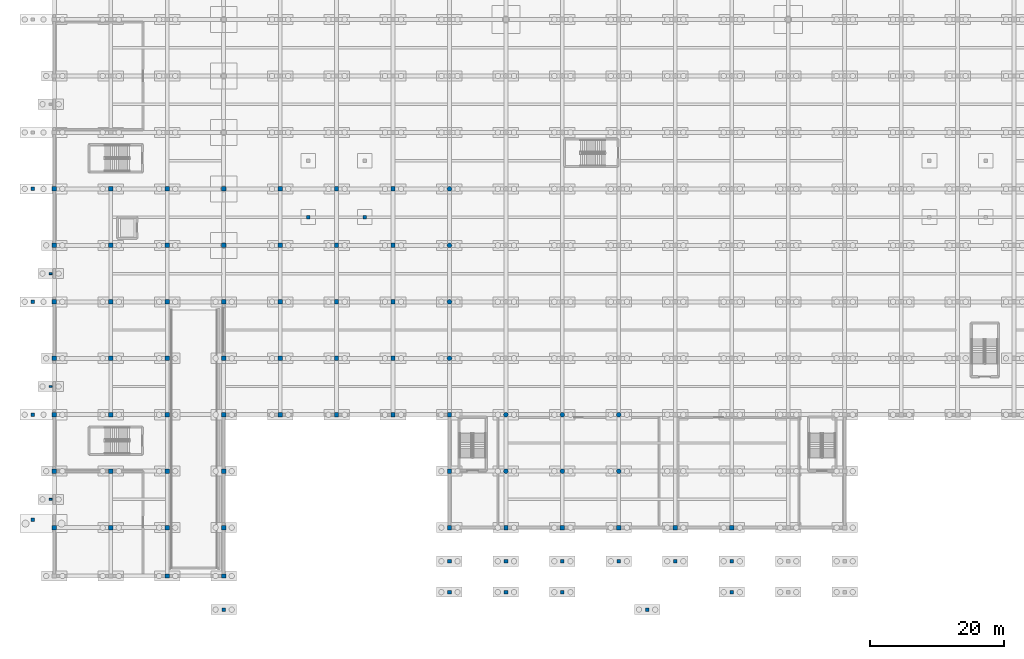
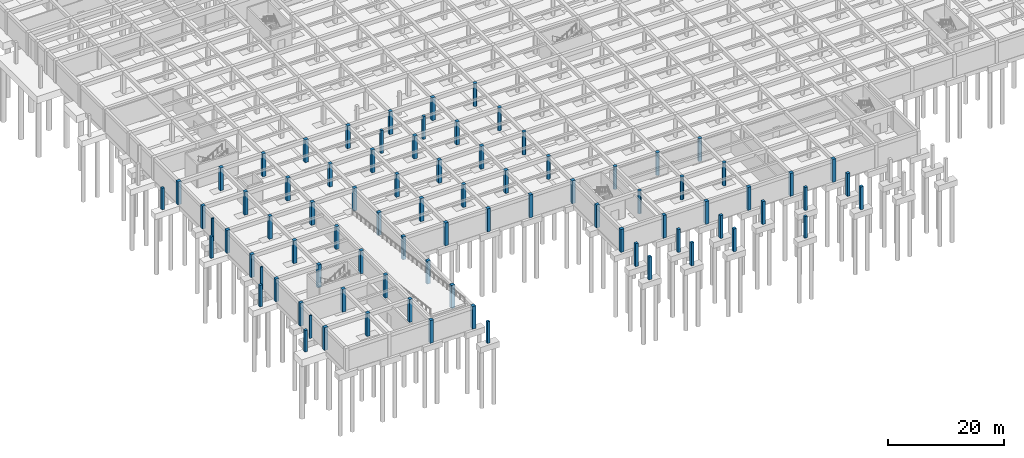
# One storey, part 8 of 51: 84 columns.
"""IFC4 building model written with IfcOpenShell, lengths in metres."""

from ifc_helpers import new_model, si_unit, direction, frame, origin, origin_2d, place, context, subcontext, project, spatial, rectangle, circle, extrude, material, material_profile, profile_set, type_object, element, save


model = new_model("IFC4")

# Units and contexts
model_context = context("Model", 3, precision=1e-05, world=origin(), true_north=direction((0.0, 1.0)))
body_context = subcontext(model_context, "Body", "Model", "MODEL_VIEW")
ifc_project = project(units=[si_unit("LENGTHUNIT", "METRE"), si_unit("AREAUNIT", "SQUARE_METRE"), si_unit("VOLUMEUNIT", "CUBIC_METRE"), si_unit("PLANEANGLEUNIT", "RADIAN"), si_unit("MASSUNIT", "GRAM", prefix="KILO")], contexts=[model_context])

# Site, building, storey
site_placement = place(None, origin())
site = spatial("IfcSite", under=ifc_project, at=site_placement, CompositionType="ELEMENT")
building_placement = place(site_placement, origin())
building = spatial("IfcBuilding", under=site, at=building_placement, Name="Varncliffe General Hospital", CompositionType="ELEMENT")
storey_placement = place(building_placement, frame((0.0, 0.0, -4.800048828125)))
storey = spatial("IfcBuildingStorey", under=building, at=storey_placement, Name="B1", CompositionType="ELEMENT", Elevation=-4.800048828125)

# Columns
ifc_material_1 = material(Name="Concrete C40/50 (CSA A23.1 40 MPa)", Category="concrete")
ifc_material_profile_1 = material_profile(ifc_material_1, rectangle(XDim=0.64990234375, YDim=0.64990234375, at=origin_2d()), Name="RC 650x650")
ifc_profile_set_1 = profile_set([ifc_material_profile_1], Name="Concrete C40/50 (CSA A23.1 40 MPa)")
column_type_1 = type_object("IfcColumnType", Name="Column C21 (Ext RC 650x650)", PredefinedType="COLUMN", material=ifc_profile_set_1)
for number, where, z_axis, x_axis, name in (
    (1, (0.0, 7.199951171875, 0.0), (0.0, 0.0, 1.0), (1.0, 0.0, 0.0), "B1 Column C21"),
    (2, (0.0, 15.60009765625, 0.0), (0.0, 0.0, 1.0), (1.0, 0.0, 0.0), "B1 Column C21"),
    (3, (0.0, 24.0, 0.0), (0.0, 0.0, 1.0), (1.0, 0.0, 0.0), "B1 Column C21"),
    (4, (0.0, 32.39990234375, 0.0), (0.0, 0.0, 1.0), (1.0, 0.0, 0.0), "B1 Column C21"),
    (5, (0.0, 40.800048828125, 0.0), (0.0, 0.0, 1.0), (1.0, 0.0, 0.0), "B1 Column C21"),
    (6, (0.0, 49.199951171875, 0.0), (0.0, 0.0, 1.0), (1.0, 0.0, 0.0), "B1 Column C21"),
    (7, (0.0, 57.60009765625, 0.0), (0.0, 0.0, 1.0), (1.0, 0.0, 0.0), "B1 Column C21"),
    (8, (16.800048828125, 0.0, 0.0), (0.0, 0.0, 1.0), (1.0, 0.0, 0.0), "B1 Column C21"),
    (9, (25.199951171875, 0.0, 0.0), (0.0, 0.0, 1.0), (1.0, 0.0, 0.0), "B1 Column C21"),
    (10, (25.199951171875, 7.199951171875, 0.0), (0.0, 0.0, 1.0), (1.0, 0.0, 0.0), "B1 Column C21"),
    (11, (25.199951171875, 15.60009765625, 0.0), (0.0, 0.0, 1.0), (1.0, 0.0, 0.0), "B1 Column C21"),
    (12, (25.199951171875, 24.0, 0.0), (0.0, 0.0, 1.0), (1.0, 0.0, 0.0), "B1 Column C21"),
    (13, (33.60009765625, 24.0, 0.0), (0.0, 0.0, 1.0), (1.0, 0.0, 0.0), "B1 Column C21"),
    (14, (42.0, 24.0, 0.0), (0.0, 0.0, 1.0), (1.0, 0.0, 0.0), "B1 Column C21"),
    (15, (50.39990234375, 24.0, 0.0), (0.0, 0.0, 1.0), (1.0, 0.0, 0.0), "B1 Column C21"),
    (16, (58.800048828125, 7.199951171875, 0.0), (0.0, 0.0, 1.0), (1.0, 0.0, 0.0), "B1 Column C21"),
    (17, (58.800048828125, 15.60009765625, 0.0), (0.0, 0.0, 1.0), (1.0, 0.0, 0.0), "B1 Column C21"),
    (18, (58.800048828125, 24.0, 0.0), (0.0, 0.0, 1.0), (1.0, 0.0, 0.0), "B1 Column C21"),
    (19, (67.199951171875, 7.199951171875, 0.0), (0.0, 0.0, 1.0), (1.0, 0.0, 0.0), "B1 Column C21"),
    (20, (75.60009765625, 7.199951171875, 0.0), (0.0, 0.0, 1.0), (1.0, 0.0, 0.0), "B1 Column C21"),
    (21, (84.0, 7.199951171875, 0.0), (0.0, 0.0, 1.0), (1.0, 0.0, 0.0), "B1 Column C21"),
    (22, (92.39990234375, 7.199951171875, 0.0), (0.0, 0.0, 1.0), (1.0, 0.0, 0.0), "B1 Column C21"),
    (23, (100.800048828125, 7.199951171875, 0.0), (0.0, 0.0, 1.0), (1.0, 0.0, 0.0), "B1 Column C21"),
):
    element("IfcColumn", number, at=place(storey_placement, frame(where, z_axis=z_axis, x_axis=x_axis)), inside=storey, type_object=column_type_1, Name=name, PredefinedType="COLUMN", context=body_context, shape_type="SweptSolid", body=[
        extrude(rectangle(XDim=0.64990234375, YDim=0.64990234375, at=origin_2d()), origin(), (0.0, 0.0, 1.0), 4.800048828125),
    ])
ifc_material_profile_2 = material_profile(ifc_material_1, circle(Radius=0.35009765625, at=origin_2d()), Name="RC D700")
ifc_profile_set_2 = profile_set([ifc_material_profile_2], Name="Concrete C40/50 (CSA A23.1 40 MPa)")
column_type_2 = type_object("IfcColumnType", Name="Column C25 (Int RC D700)", PredefinedType="COLUMN", material=ifc_profile_set_2)
for number, where, z_axis, x_axis, name in (
    (24, (58.800048828125, 32.39990234375, 0.0), (0.0, 0.0, 1.0), (1.0, 0.0, 0.0), "B1 Column C25"),
    (25, (58.800048828125, 40.800048828125, 0.0), (0.0, 0.0, 1.0), (1.0, 0.0, 0.0), "B1 Column C25"),
    (26, (58.800048828125, 49.199951171875, 0.0), (0.0, 0.0, 1.0), (1.0, 0.0, 0.0), "B1 Column C25"),
    (27, (58.800048828125, 57.60009765625, 0.0), (0.0, 0.0, 1.0), (1.0, 0.0, 0.0), "B1 Column C25"),
    (28, (67.199951171875, 15.60009765625, 0.0), (0.0, 0.0, 1.0), (1.0, 0.0, 0.0), "B1 Column C25"),
    (29, (67.199951171875, 24.0, 0.0), (0.0, 0.0, 1.0), (1.0, 0.0, 0.0), "B1 Column C25"),
    (30, (75.60009765625, 15.60009765625, 0.0), (0.0, 0.0, 1.0), (1.0, 0.0, 0.0), "B1 Column C25"),
    (31, (75.60009765625, 24.0, 0.0), (0.0, 0.0, 1.0), (1.0, 0.0, 0.0), "B1 Column C25"),
    (32, (84.0, 15.60009765625, 0.0), (0.0, 0.0, 1.0), (1.0, 0.0, 0.0), "B1 Column C25"),
    (33, (84.0, 24.0, 0.0), (0.0, 0.0, 1.0), (1.0, 0.0, 0.0), "B1 Column C25"),
):
    element("IfcColumn", number, at=place(storey_placement, frame(where, z_axis=z_axis, x_axis=x_axis)), inside=storey, type_object=column_type_2, Name=name, PredefinedType="COLUMN", context=body_context, shape_type="SweptSolid", body=[
        extrude(circle(Radius=0.35009765625, at=origin_2d()), origin(), (0.0, 0.0, 1.0), 4.800048828125),
    ])
ifc_material_profile_3 = material_profile(ifc_material_1, rectangle(XDim=0.550048828125, YDim=0.550048828125, at=origin_2d()), Name="RC 550x550")
ifc_profile_set_3 = profile_set([ifc_material_profile_3], Name="Concrete C40/50 (CSA A23.1 40 MPa)")
column_type_3 = type_object("IfcColumnType", Name="Column C26 (Ext RC 550x550)", PredefinedType="COLUMN", material=ifc_profile_set_3)
for number, where, z_axis, x_axis, name in (
    (34, (58.800048828125, -2.39990234375, 0.0), (0.0, 0.0, 1.0), (1.0, 0.0, 0.0), "B1 Column C26"),
    (35, (58.800048828125, 2.199951171875, 0.0), (0.0, 0.0, 1.0), (1.0, 0.0, 0.0), "B1 Column C26"),
    (36, (67.199951171875, -2.39990234375, 0.0), (0.0, 0.0, 1.0), (1.0, 0.0, 0.0), "B1 Column C26"),
    (37, (67.199951171875, 2.199951171875, 0.0), (0.0, 0.0, 1.0), (1.0, 0.0, 0.0), "B1 Column C26"),
    (38, (75.60009765625, -2.39990234375, 0.0), (0.0, 0.0, 1.0), (1.0, 0.0, 0.0), "B1 Column C26"),
    (39, (75.60009765625, 2.199951171875, 0.0), (0.0, 0.0, 1.0), (1.0, 0.0, 0.0), "B1 Column C26"),
    (40, (84.0, 2.199951171875, 0.0), (0.0, 0.0, 1.0), (1.0, 0.0, 0.0), "B1 Column C26"),
    (41, (92.39990234375, 2.199951171875, 0.0), (0.0, 0.0, 1.0), (1.0, 0.0, 0.0), "B1 Column C26"),
    (42, (100.800048828125, -2.39990234375, 0.0), (0.0, 0.0, 1.0), (1.0, 0.0, 0.0), "B1 Column C26"),
    (43, (100.800048828125, 2.199951171875, 0.0), (0.0, 0.0, 1.0), (1.0, 0.0, 0.0), "B1 Column C26"),
):
    element("IfcColumn", number, at=place(storey_placement, frame(where, z_axis=z_axis, x_axis=x_axis)), inside=storey, type_object=column_type_3, Name=name, PredefinedType="COLUMN", context=body_context, shape_type="SweptSolid", body=[
        extrude(rectangle(XDim=0.550048828125, YDim=0.550048828125, at=origin_2d()), origin(), (0.0, 0.0, 1.0), 4.800048828125),
    ])
ifc_material_profile_4 = material_profile(ifc_material_1, rectangle(XDim=0.64990234375, YDim=0.64990234375, at=origin_2d()), Name="RC 650x650")
ifc_profile_set_4 = profile_set([ifc_material_profile_4], Name="Concrete C40/50 (CSA A23.1 40 MPa)")
column_type_4 = type_object("IfcColumnType", Name="Column C29 (Int RC 650x650)", PredefinedType="COLUMN", material=ifc_profile_set_4)
for number, where, z_axis, x_axis, name in (
    (44, (8.39990234375, 7.199951171875, 0.0), (0.0, 0.0, 1.0), (1.0, 0.0, 0.0), "B1 Column C29"),
    (45, (8.39990234375, 15.60009765625, 0.0), (0.0, 0.0, 1.0), (1.0, 0.0, 0.0), "B1 Column C29"),
    (46, (8.39990234375, 24.0, 0.0), (0.0, 0.0, 1.0), (1.0, 0.0, 0.0), "B1 Column C29"),
    (47, (8.39990234375, 32.39990234375, 0.0), (0.0, 0.0, 1.0), (1.0, 0.0, 0.0), "B1 Column C29"),
    (48, (8.39990234375, 40.800048828125, 0.0), (0.0, 0.0, 1.0), (1.0, 0.0, 0.0), "B1 Column C29"),
    (49, (8.39990234375, 49.199951171875, 0.0), (0.0, 0.0, 1.0), (1.0, 0.0, 0.0), "B1 Column C29"),
    (50, (8.39990234375, 57.60009765625, 0.0), (0.0, 0.0, 1.0), (1.0, 0.0, 0.0), "B1 Column C29"),
    (51, (16.800048828125, 7.199951171875, 0.0), (0.0, 0.0, 1.0), (1.0, 0.0, 0.0), "B1 Column C29"),
    (52, (16.800048828125, 15.60009765625, 0.0), (0.0, 0.0, 1.0), (1.0, 0.0, 0.0), "B1 Column C29"),
    (53, (16.800048828125, 24.0, 0.0), (0.0, 0.0, 1.0), (1.0, 0.0, 0.0), "B1 Column C29"),
    (54, (16.800048828125, 32.39990234375, 0.0), (0.0, 0.0, 1.0), (1.0, 0.0, 0.0), "B1 Column C29"),
    (55, (16.800048828125, 40.800048828125, 0.0), (0.0, 0.0, 1.0), (1.0, 0.0, 0.0), "B1 Column C29"),
    (56, (16.800048828125, 49.199951171875, 0.0), (0.0, 0.0, 1.0), (1.0, 0.0, 0.0), "B1 Column C29"),
    (57, (16.800048828125, 57.60009765625, 0.0), (0.0, 0.0, 1.0), (1.0, 0.0, 0.0), "B1 Column C29"),
    (58, (25.199951171875, 32.39990234375, 0.0), (0.0, 0.0, 1.0), (1.0, 0.0, 0.0), "B1 Column C29"),
    (59, (25.199951171875, 40.800048828125, 0.0), (0.0, 0.0, 1.0), (1.0, 0.0, 0.0), "B1 Column C29"),
    (60, (25.199951171875, 49.199951171875, 0.0), (0.0, 0.0, 1.0), (1.0, 0.0, 0.0), "B1 Column C29"),
    (61, (25.199951171875, 57.60009765625, 0.0), (0.0, 0.0, 1.0), (1.0, 0.0, 0.0), "B1 Column C29"),
    (62, (33.60009765625, 32.39990234375, 0.0), (0.0, 0.0, 1.0), (1.0, 0.0, 0.0), "B1 Column C29"),
    (63, (33.60009765625, 40.800048828125, 0.0), (0.0, 0.0, 1.0), (1.0, 0.0, 0.0), "B1 Column C29"),
    (64, (33.60009765625, 49.199951171875, 0.0), (0.0, 0.0, 1.0), (1.0, 0.0, 0.0), "B1 Column C29"),
    (65, (33.60009765625, 57.60009765625, 0.0), (0.0, 0.0, 1.0), (1.0, 0.0, 0.0), "B1 Column C29"),
    (66, (42.0, 32.39990234375, 0.0), (0.0, 0.0, 1.0), (1.0, 0.0, 0.0), "B1 Column C29"),
    (67, (42.0, 40.800048828125, 0.0), (0.0, 0.0, 1.0), (1.0, 0.0, 0.0), "B1 Column C29"),
    (68, (42.0, 49.199951171875, 0.0), (0.0, 0.0, 1.0), (1.0, 0.0, 0.0), "B1 Column C29"),
    (69, (42.0, 57.60009765625, 0.0), (0.0, 0.0, 1.0), (1.0, 0.0, 0.0), "B1 Column C29"),
    (70, (50.39990234375, 32.39990234375, 0.0), (0.0, 0.0, 1.0), (1.0, 0.0, 0.0), "B1 Column C29"),
    (71, (50.39990234375, 40.800048828125, 0.0), (0.0, 0.0, 1.0), (1.0, 0.0, 0.0), "B1 Column C29"),
    (72, (50.39990234375, 49.199951171875, 0.0), (0.0, 0.0, 1.0), (1.0, 0.0, 0.0), "B1 Column C29"),
    (73, (50.39990234375, 57.60009765625, 0.0), (0.0, 0.0, 1.0), (1.0, 0.0, 0.0), "B1 Column C29"),
):
    element("IfcColumn", number, at=place(storey_placement, frame(where, z_axis=z_axis, x_axis=x_axis)), inside=storey, type_object=column_type_4, Name=name, PredefinedType="COLUMN", context=body_context, shape_type="SweptSolid", body=[
        extrude(rectangle(XDim=0.64990234375, YDim=0.64990234375, at=origin_2d()), origin(), (0.0, 0.0, 1.0), 4.800048828125),
    ])
ifc_material_profile_5 = material_profile(ifc_material_1, rectangle(XDim=0.5, YDim=0.5, at=origin_2d()), Name="RC 500x500")
ifc_profile_set_5 = profile_set([ifc_material_profile_5], Name="Concrete C40/50 (CSA A23.1 40 MPa)")
column_type_5 = type_object("IfcColumnType", Name="Column C65 (Ext RC 500x500)", PredefinedType="COLUMN", material=ifc_profile_set_5)
for number, where, z_axis, x_axis, name in (
    (74, (-3.199951171875, 8.39990234375, 0.0), (0.0, 0.0, 1.0), (1.0, 0.0, 0.0), "B1 Perimeter Walkway Support Pier"),
    (75, (-3.199951171875, 24.0, 0.0), (0.0, 0.0, 1.0), (1.0, 0.0, 0.0), "B1 Perimeter Walkway Support Pier"),
    (76, (-3.199951171875, 40.800048828125, 0.0), (0.0, 0.0, 1.0), (1.0, 0.0, 0.0), "B1 Perimeter Walkway Support Pier"),
    (77, (-3.199951171875, 57.60009765625, 0.0), (0.0, 0.0, 1.0), (1.0, 0.0, 0.0), "B1 Perimeter Walkway Support Pier"),
    (78, (25.199951171875, -5.0, 0.0), (0.0, 0.0, 1.0), (1.0, 0.0, 0.0), "B1 Perimeter Walkway Support Pier"),
    (79, (88.199951171875, -5.0, 0.0), (0.0, 0.0, 1.0), (1.0, 0.0, 0.0), "B1 Perimeter Walkway Support Pier"),
):
    element("IfcColumn", number, at=place(storey_placement, frame(where, z_axis=z_axis, x_axis=x_axis)), inside=storey, type_object=column_type_5, Name=name, PredefinedType="COLUMN", context=body_context, shape_type="SweptSolid", body=[
        extrude(rectangle(XDim=0.5, YDim=0.5, at=origin_2d()), origin(), (0.0, 0.0, 1.0), 4.52001953125),
    ])
ifc_material_profile_6 = material_profile(ifc_material_1, rectangle(XDim=0.5, YDim=0.5, at=origin_2d()), Name="RC 500x500")
ifc_profile_set_6 = profile_set([ifc_material_profile_6], Name="Concrete C40/50 (CSA A23.1 40 MPa)")
column_type_6 = type_object("IfcColumnType", Name="Column C90 (Int RC 500x500)", PredefinedType="COLUMN", material=ifc_profile_set_6)
for number, where, z_axis, x_axis, name in (
    (80, (37.800048828125, 53.39990234375, 0.0), (0.0, 0.0, 1.0), (1.0, 0.0, 0.0), "B1 Cloister Support Pier 1"),
    (81, (46.199951171875, 53.39990234375, 0.0), (0.0, 0.0, 1.0), (1.0, 0.0, 0.0), "B1 Cloister Support Pier 2"),
):
    element("IfcColumn", number, at=place(storey_placement, frame(where, z_axis=z_axis, x_axis=x_axis)), inside=storey, type_object=column_type_6, Name=name, PredefinedType="COLUMN", context=body_context, shape_type="SweptSolid", body=[
        extrude(rectangle(XDim=0.5, YDim=0.5, at=origin_2d()), origin(), (0.0, 0.0, 1.0), 4.800048828125),
    ])
ifc_material_2 = material(Name="Precast concrete C40/50", Category="concrete")
ifc_material_profile_7 = material_profile(ifc_material_2, rectangle(XDim=0.449951171875, YDim=0.280029296875, at=origin_2d()), Name="PIL 450x280")
ifc_profile_set_7 = profile_set([ifc_material_profile_7], Name="Precast concrete C40/50")
column_type_7 = type_object("IfcColumnType", Name="Pilaster PL64 (PIL 450x280)", PredefinedType="PILASTER", material=ifc_profile_set_7)
for number, where, z_axis, x_axis, name in (
    (82, (-0.550048828125, 11.39990234375, 0.0), (0.0, 0.0, 1.0), (1.0, 0.0, 0.0), "B1 Facade Pilaster PL64-4"),
    (83, (-0.550048828125, 28.199951171875, 0.0), (0.0, 0.0, 1.0), (1.0, 0.0, 0.0), "B1 Facade Pilaster PL64-5"),
    (84, (-0.550048828125, 45.0, 0.0), (0.0, 0.0, 1.0), (1.0, 0.0, 0.0), "B1 Facade Pilaster PL64-6"),
):
    element("IfcColumn", number, at=place(storey_placement, frame(where, z_axis=z_axis, x_axis=x_axis)), inside=storey, type_object=column_type_7, Name=name, PredefinedType="PILASTER", context=body_context, shape_type="SweptSolid", body=[
        extrude(rectangle(XDim=0.449951171875, YDim=0.280029296875, at=origin_2d()), origin(), (0.0, 0.0, 1.0), 4.800048828125),
    ])

save(model, "model.ifc")
